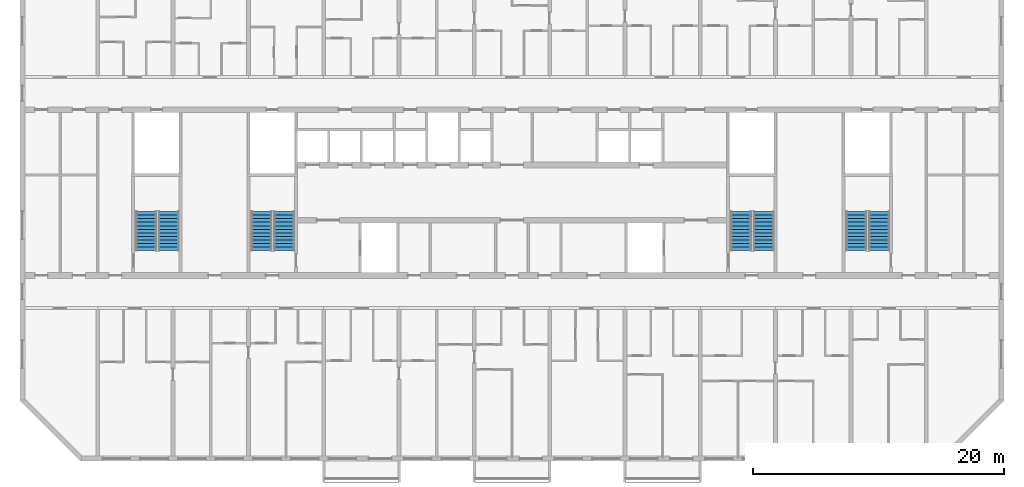
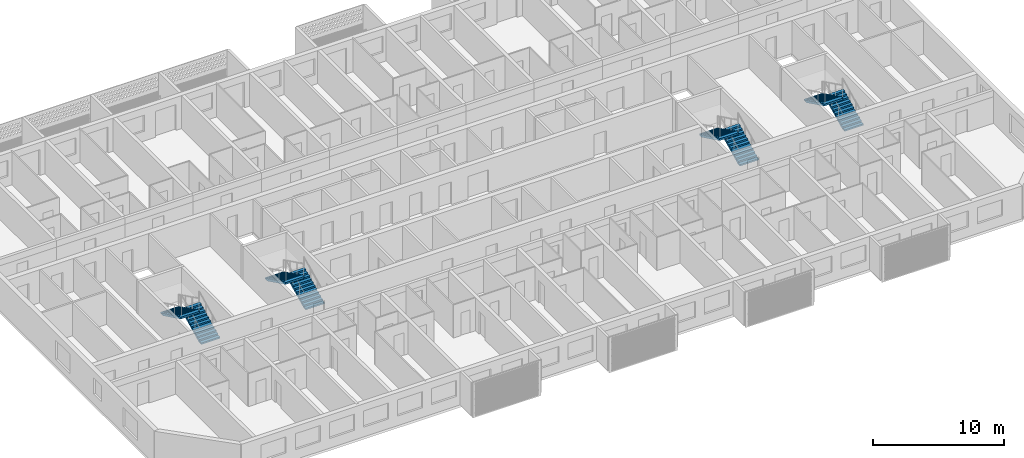
# One storey, part 13 of 32: 8 stair flights, 4 elements without a shape of their own.
"""IFC4 building model written with IfcOpenShell, lengths in metres."""

from ifc_helpers import new_model, si_unit, direction, frame, origin, place, context, subcontext, project, spatial, polyline, outline, extrude, material, layer, layer_set, type_object, element, aggregate, save


model = new_model("IFC4")

# Units and contexts
model_context = context("Model", 3, precision=1e-05, world=origin(), true_north=direction((0.0, 1.0)))
body_context = subcontext(model_context, "Body", "Model", "MODEL_VIEW")
ifc_project = project(units=[si_unit("LENGTHUNIT", "METRE"), si_unit("AREAUNIT", "SQUARE_METRE"), si_unit("VOLUMEUNIT", "CUBIC_METRE"), si_unit("PLANEANGLEUNIT", "RADIAN"), si_unit("MASSUNIT", "GRAM", prefix="KILO")], contexts=[model_context])

# Site, building, storey
site_placement = place(None, origin())
site = spatial("IfcSite", under=ifc_project, at=site_placement, CompositionType="ELEMENT")
building_placement = place(site_placement, origin())
building = spatial("IfcBuilding", under=site, at=building_placement, Name="Poui Terraces", CompositionType="ELEMENT")
storey_placement = place(building_placement, frame((0.0, 0.0, 129.0)))
storey = spatial("IfcBuildingStorey", under=building, at=storey_placement, Name="L35", CompositionType="ELEMENT", Elevation=129.0)

# Stair, stair flights
ifc_material = material(Name="Concrete 65 MPa", Category="concrete")
stair_type = type_object("IfcStairType", Name="EXIT STAIR 1650 65 MPA", PredefinedType="HALF_TURN_STAIR", material=ifc_material)
stair_1_placement = place(storey_placement, origin())
stair_1 = element("IfcStair", 1, at=stair_1_placement, inside=storey, type_object=stair_type, Name="L35 CORE STAIR EAST", PredefinedType="HALF_TURN_STAIR")
ifc_layer = layer(ifc_material, 0.14990234375)
ifc_layer_set = layer_set([ifc_layer], Name="Concrete 65 MPa")
stair_flight_type = type_object("IfcStairFlightType", Name="STAIR FLIGHT 12 RISERS 138 RISE 65 MPA", PredefinedType="STRAIGHT", material=ifc_layer_set)
stair_flight_1_placement = place(storey_placement, frame((71.050048828125, 16.60009765625, 0.0), z_axis=(0.0, 0.0, 1.0), x_axis=(0.0, 1.0, 0.0)))
stair_flight_1 = element("IfcStairFlight", 2, at=stair_flight_1_placement, type_object=stair_flight_type, Name="ST-CE flight 1", NumberOfRisers=12, NumberOfTreads=11, PredefinedType="STRAIGHT", RiserHeight=0.1375, TreadLength=0.28, context=body_context, shape_type="SweptSolid", body=[
    extrude(outline(polyline([(0.0, 0.0), (0.0, 0.137451171875), (0.280029296875, 0.137451171875), (0.280029296875, 0.27490234375), (0.56005859375, 0.27490234375), (0.56005859375, 0.41259765625), (0.840087890625, 0.41259765625), (0.840087890625, 0.550048828125), (1.1201171875, 0.550048828125), (1.1201171875, 0.6875), (1.39990234375, 0.6875), (1.39990234375, 0.824951171875), (1.679931640625, 0.824951171875), (1.679931640625, 0.96240234375), (1.9599609375, 0.96240234375), (1.9599609375, 1.10009765625), (2.239990234375, 1.10009765625), (2.239990234375, 1.237548828125), (2.52001953125, 1.237548828125), (2.52001953125, 1.375), (2.800048828125, 1.375), (2.800048828125, 1.512451171875), (3.080078125, 1.512451171875), (3.080078125, 1.64990234375), (3.080078125, 1.345458984375), (0.340087890625, 0.0), (0.0, 0.0)])), frame((0.0, 0.824951171875, 0.0), z_axis=(0.0, -1.0, 0.0), x_axis=(1.0, 0.0, 0.0)), (0.0, 0.0, 1.0), 1.64990234375),
])
stair_flight_2_placement = place(storey_placement, frame((69.25, 19.679931640625, 1.64990234375), z_axis=(0.0, 0.0, 1.0), x_axis=(0.0, -1.0, 0.0)))
stair_flight_2 = element("IfcStairFlight", 3, at=stair_flight_2_placement, type_object=stair_flight_type, Name="ST-CE flight 2", NumberOfRisers=12, NumberOfTreads=11, PredefinedType="STRAIGHT", RiserHeight=0.1375, TreadLength=0.28, context=body_context, shape_type="SweptSolid", body=[
    extrude(outline(polyline([(0.0, 0.0), (0.0, 0.137451171875), (0.280029296875, 0.137451171875), (0.280029296875, 0.27490234375), (0.56005859375, 0.27490234375), (0.56005859375, 0.41259765625), (0.840087890625, 0.41259765625), (0.840087890625, 0.550048828125), (1.1201171875, 0.550048828125), (1.1201171875, 0.6875), (1.39990234375, 0.6875), (1.39990234375, 0.824951171875), (1.679931640625, 0.824951171875), (1.679931640625, 0.96240234375), (1.9599609375, 0.96240234375), (1.9599609375, 1.10009765625), (2.239990234375, 1.10009765625), (2.239990234375, 1.237548828125), (2.52001953125, 1.237548828125), (2.52001953125, 1.375), (2.800048828125, 1.375), (2.800048828125, 1.512451171875), (3.080078125, 1.512451171875), (3.080078125, 1.64990234375), (3.080078125, 1.345458984375), (0.340087890625, 0.0), (0.0, 0.0)])), frame((0.0, 0.824951171875, 0.0), z_axis=(0.0, -1.0, 0.0), x_axis=(1.0, 0.0, 0.0)), (0.0, 0.0, 1.0), 1.64990234375),
])
aggregate(stair_1, [stair_flight_1, stair_flight_2])

stair_2_placement = place(storey_placement, origin())
stair_2 = element("IfcStair", 4, at=stair_2_placement, inside=storey, type_object=stair_type, Name="L35 CORE STAIR WEST", PredefinedType="HALF_TURN_STAIR")
stair_flight_3_placement = place(storey_placement, frame((32.85009765625, 16.60009765625, 0.0), z_axis=(0.0, 0.0, 1.0), x_axis=(0.0, 1.0, 0.0)))
stair_flight_3 = element("IfcStairFlight", 5, at=stair_flight_3_placement, type_object=stair_flight_type, Name="ST-CW flight 1", NumberOfRisers=12, NumberOfTreads=11, PredefinedType="STRAIGHT", RiserHeight=0.1375, TreadLength=0.28, context=body_context, shape_type="SweptSolid", body=[
    extrude(outline(polyline([(0.0, 0.0), (0.0, 0.137451171875), (0.280029296875, 0.137451171875), (0.280029296875, 0.27490234375), (0.56005859375, 0.27490234375), (0.56005859375, 0.41259765625), (0.840087890625, 0.41259765625), (0.840087890625, 0.550048828125), (1.1201171875, 0.550048828125), (1.1201171875, 0.6875), (1.39990234375, 0.6875), (1.39990234375, 0.824951171875), (1.679931640625, 0.824951171875), (1.679931640625, 0.96240234375), (1.9599609375, 0.96240234375), (1.9599609375, 1.10009765625), (2.239990234375, 1.10009765625), (2.239990234375, 1.237548828125), (2.52001953125, 1.237548828125), (2.52001953125, 1.375), (2.800048828125, 1.375), (2.800048828125, 1.512451171875), (3.080078125, 1.512451171875), (3.080078125, 1.64990234375), (3.080078125, 1.345458984375), (0.340087890625, 0.0), (0.0, 0.0)])), frame((0.0, 0.824951171875, 0.0), z_axis=(0.0, -1.0, 0.0), x_axis=(1.0, 0.0, 0.0)), (0.0, 0.0, 1.0), 1.64990234375),
])
stair_flight_4_placement = place(storey_placement, frame((31.050048828125, 19.679931640625, 1.64990234375), z_axis=(0.0, 0.0, 1.0), x_axis=(0.0, -1.0, 0.0)))
stair_flight_4 = element("IfcStairFlight", 6, at=stair_flight_4_placement, type_object=stair_flight_type, Name="ST-CW flight 2", NumberOfRisers=12, NumberOfTreads=11, PredefinedType="STRAIGHT", RiserHeight=0.1375, TreadLength=0.28, context=body_context, shape_type="SweptSolid", body=[
    extrude(outline(polyline([(0.0, 0.0), (0.0, 0.137451171875), (0.280029296875, 0.137451171875), (0.280029296875, 0.27490234375), (0.56005859375, 0.27490234375), (0.56005859375, 0.41259765625), (0.840087890625, 0.41259765625), (0.840087890625, 0.550048828125), (1.1201171875, 0.550048828125), (1.1201171875, 0.6875), (1.39990234375, 0.6875), (1.39990234375, 0.824951171875), (1.679931640625, 0.824951171875), (1.679931640625, 0.96240234375), (1.9599609375, 0.96240234375), (1.9599609375, 1.10009765625), (2.239990234375, 1.10009765625), (2.239990234375, 1.237548828125), (2.52001953125, 1.237548828125), (2.52001953125, 1.375), (2.800048828125, 1.375), (2.800048828125, 1.512451171875), (3.080078125, 1.512451171875), (3.080078125, 1.64990234375), (3.080078125, 1.345458984375), (0.340087890625, 0.0), (0.0, 0.0)])), frame((0.0, 0.824951171875, 0.0), z_axis=(0.0, -1.0, 0.0), x_axis=(1.0, 0.0, 0.0)), (0.0, 0.0, 1.0), 1.64990234375),
])
aggregate(stair_2, [stair_flight_3, stair_flight_4])

stair_3_placement = place(storey_placement, origin())
stair_3 = element("IfcStair", 7, at=stair_3_placement, inside=storey, type_object=stair_type, Name="L35 TIP STAIR EAST", PredefinedType="HALF_TURN_STAIR")
stair_flight_5_placement = place(storey_placement, frame((80.25, 16.60009765625, 0.0), z_axis=(0.0, 0.0, 1.0), x_axis=(0.0, 1.0, 0.0)))
stair_flight_5 = element("IfcStairFlight", 8, at=stair_flight_5_placement, type_object=stair_flight_type, Name="ST-E flight 1", NumberOfRisers=12, NumberOfTreads=11, PredefinedType="STRAIGHT", RiserHeight=0.1375, TreadLength=0.28, context=body_context, shape_type="SweptSolid", body=[
    extrude(outline(polyline([(0.0, 0.0), (0.0, 0.137451171875), (0.280029296875, 0.137451171875), (0.280029296875, 0.27490234375), (0.56005859375, 0.27490234375), (0.56005859375, 0.41259765625), (0.840087890625, 0.41259765625), (0.840087890625, 0.550048828125), (1.1201171875, 0.550048828125), (1.1201171875, 0.6875), (1.39990234375, 0.6875), (1.39990234375, 0.824951171875), (1.679931640625, 0.824951171875), (1.679931640625, 0.96240234375), (1.9599609375, 0.96240234375), (1.9599609375, 1.10009765625), (2.239990234375, 1.10009765625), (2.239990234375, 1.237548828125), (2.52001953125, 1.237548828125), (2.52001953125, 1.375), (2.800048828125, 1.375), (2.800048828125, 1.512451171875), (3.080078125, 1.512451171875), (3.080078125, 1.64990234375), (3.080078125, 1.345458984375), (0.340087890625, 0.0), (0.0, 0.0)])), frame((0.0, 0.824951171875, 0.0), z_axis=(0.0, -1.0, 0.0), x_axis=(1.0, 0.0, 0.0)), (0.0, 0.0, 1.0), 1.64990234375),
])
stair_flight_6_placement = place(storey_placement, frame((78.449951171875, 19.679931640625, 1.64990234375), z_axis=(0.0, 0.0, 1.0), x_axis=(0.0, -1.0, 0.0)))
stair_flight_6 = element("IfcStairFlight", 9, at=stair_flight_6_placement, type_object=stair_flight_type, Name="ST-E flight 2", NumberOfRisers=12, NumberOfTreads=11, PredefinedType="STRAIGHT", RiserHeight=0.1375, TreadLength=0.28, context=body_context, shape_type="SweptSolid", body=[
    extrude(outline(polyline([(0.0, 0.0), (0.0, 0.137451171875), (0.280029296875, 0.137451171875), (0.280029296875, 0.27490234375), (0.56005859375, 0.27490234375), (0.56005859375, 0.41259765625), (0.840087890625, 0.41259765625), (0.840087890625, 0.550048828125), (1.1201171875, 0.550048828125), (1.1201171875, 0.6875), (1.39990234375, 0.6875), (1.39990234375, 0.824951171875), (1.679931640625, 0.824951171875), (1.679931640625, 0.96240234375), (1.9599609375, 0.96240234375), (1.9599609375, 1.10009765625), (2.239990234375, 1.10009765625), (2.239990234375, 1.237548828125), (2.52001953125, 1.237548828125), (2.52001953125, 1.375), (2.800048828125, 1.375), (2.800048828125, 1.512451171875), (3.080078125, 1.512451171875), (3.080078125, 1.64990234375), (3.080078125, 1.345458984375), (0.340087890625, 0.0), (0.0, 0.0)])), frame((0.0, 0.824951171875, 0.0), z_axis=(0.0, -1.0, 0.0), x_axis=(1.0, 0.0, 0.0)), (0.0, 0.0, 1.0), 1.64990234375),
])
aggregate(stair_3, [stair_flight_5, stair_flight_6])

stair_4_placement = place(storey_placement, origin())
stair_4 = element("IfcStair", 10, at=stair_4_placement, inside=storey, type_object=stair_type, Name="L35 TIP STAIR WEST", PredefinedType="HALF_TURN_STAIR")
stair_flight_7_placement = place(storey_placement, frame((23.64990234375, 16.60009765625, 0.0), z_axis=(0.0, 0.0, 1.0), x_axis=(0.0, 1.0, 0.0)))
stair_flight_7 = element("IfcStairFlight", 11, at=stair_flight_7_placement, type_object=stair_flight_type, Name="ST-W flight 1", NumberOfRisers=12, NumberOfTreads=11, PredefinedType="STRAIGHT", RiserHeight=0.1375, TreadLength=0.28, context=body_context, shape_type="SweptSolid", body=[
    extrude(outline(polyline([(0.0, 0.0), (0.0, 0.137451171875), (0.280029296875, 0.137451171875), (0.280029296875, 0.27490234375), (0.56005859375, 0.27490234375), (0.56005859375, 0.41259765625), (0.840087890625, 0.41259765625), (0.840087890625, 0.550048828125), (1.1201171875, 0.550048828125), (1.1201171875, 0.6875), (1.39990234375, 0.6875), (1.39990234375, 0.824951171875), (1.679931640625, 0.824951171875), (1.679931640625, 0.96240234375), (1.9599609375, 0.96240234375), (1.9599609375, 1.10009765625), (2.239990234375, 1.10009765625), (2.239990234375, 1.237548828125), (2.52001953125, 1.237548828125), (2.52001953125, 1.375), (2.800048828125, 1.375), (2.800048828125, 1.512451171875), (3.080078125, 1.512451171875), (3.080078125, 1.64990234375), (3.080078125, 1.345458984375), (0.340087890625, 0.0), (0.0, 0.0)])), frame((0.0, 0.824951171875, 0.0), z_axis=(0.0, -1.0, 0.0), x_axis=(1.0, 0.0, 0.0)), (0.0, 0.0, 1.0), 1.64990234375),
])
stair_flight_8_placement = place(storey_placement, frame((21.85009765625, 19.679931640625, 1.64990234375), z_axis=(0.0, 0.0, 1.0), x_axis=(0.0, -1.0, 0.0)))
stair_flight_8 = element("IfcStairFlight", 12, at=stair_flight_8_placement, type_object=stair_flight_type, Name="ST-W flight 2", NumberOfRisers=12, NumberOfTreads=11, PredefinedType="STRAIGHT", RiserHeight=0.1375, TreadLength=0.28, context=body_context, shape_type="SweptSolid", body=[
    extrude(outline(polyline([(0.0, 0.0), (0.0, 0.137451171875), (0.280029296875, 0.137451171875), (0.280029296875, 0.27490234375), (0.56005859375, 0.27490234375), (0.56005859375, 0.41259765625), (0.840087890625, 0.41259765625), (0.840087890625, 0.550048828125), (1.1201171875, 0.550048828125), (1.1201171875, 0.6875), (1.39990234375, 0.6875), (1.39990234375, 0.824951171875), (1.679931640625, 0.824951171875), (1.679931640625, 0.96240234375), (1.9599609375, 0.96240234375), (1.9599609375, 1.10009765625), (2.239990234375, 1.10009765625), (2.239990234375, 1.237548828125), (2.52001953125, 1.237548828125), (2.52001953125, 1.375), (2.800048828125, 1.375), (2.800048828125, 1.512451171875), (3.080078125, 1.512451171875), (3.080078125, 1.64990234375), (3.080078125, 1.345458984375), (0.340087890625, 0.0), (0.0, 0.0)])), frame((0.0, 0.824951171875, 0.0), z_axis=(0.0, -1.0, 0.0), x_axis=(1.0, 0.0, 0.0)), (0.0, 0.0, 1.0), 1.64990234375),
])
aggregate(stair_4, [stair_flight_7, stair_flight_8])

save(model, "model.ifc")
